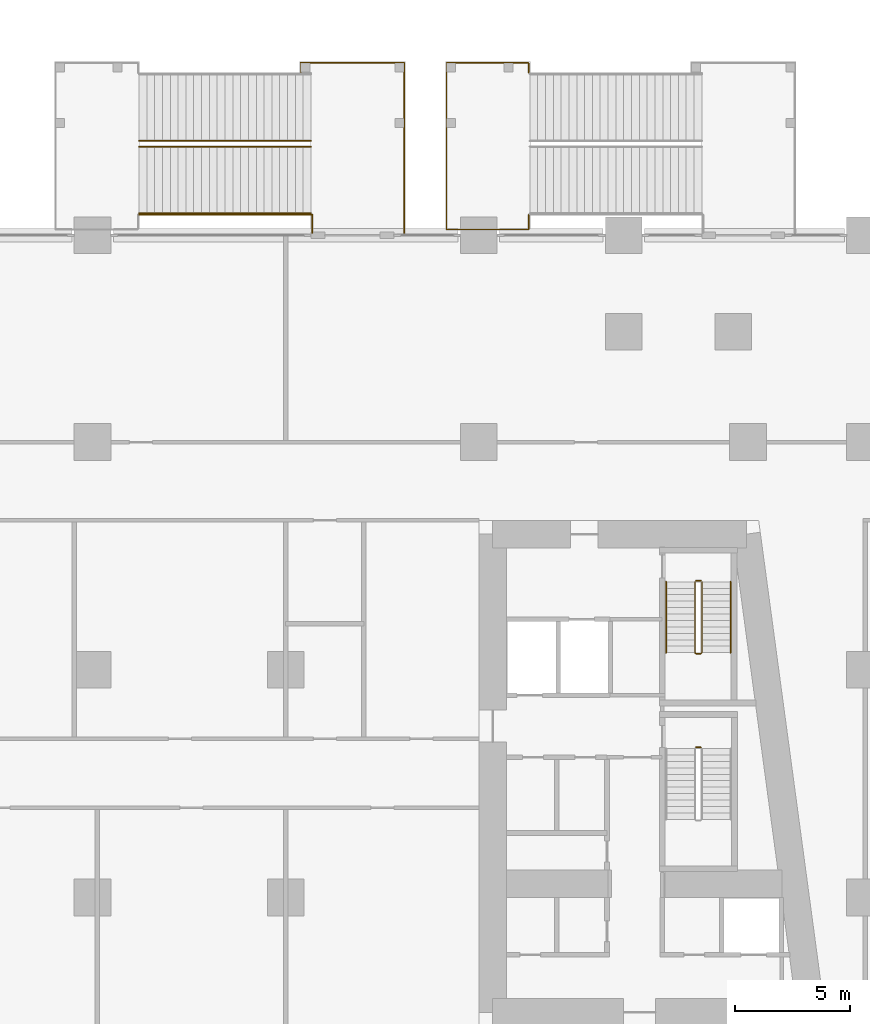
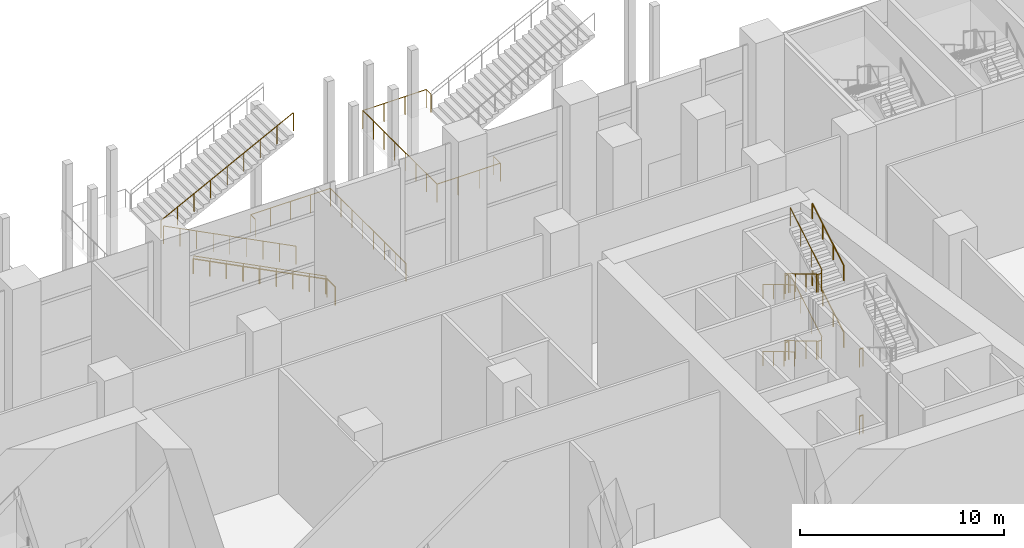
# One storey, part 47 of 52: 17 railings.
"""IFC4 building model written with IfcOpenShell, lengths in metres."""

from ifc_helpers import new_model, si_unit, direction, frame, origin, origin_2d, place, context, subcontext, project, spatial, circle, extrude, material, type_object, element, save


model = new_model("IFC4")

# Units and contexts
model_context = context("Model", 3, precision=1e-05, world=origin(), true_north=direction((0.0, 1.0)))
body_context = subcontext(model_context, "Body", "Model", "MODEL_VIEW")
ifc_project = project(units=[si_unit("LENGTHUNIT", "METRE"), si_unit("AREAUNIT", "SQUARE_METRE"), si_unit("VOLUMEUNIT", "CUBIC_METRE"), si_unit("PLANEANGLEUNIT", "RADIAN"), si_unit("MASSUNIT", "GRAM", prefix="KILO")], contexts=[model_context])

# Site, building, storey
site_placement = place(None, origin())
site = spatial("IfcSite", under=ifc_project, at=site_placement, CompositionType="ELEMENT")
building_placement = place(site_placement, origin())
building = spatial("IfcBuilding", under=site, at=building_placement, Name="Candeia Pilgrim Tower and Theatre", CompositionType="ELEMENT")
storey_placement = place(building_placement, frame((0.0, 0.0, 9.0)))
storey = spatial("IfcBuildingStorey", under=building, at=storey_placement, Name="L01", CompositionType="ELEMENT", Elevation=9.0)

# Railings
ifc_material_1 = material(Name="Stainless steel balustrade", Category="steel")
railing_type_1 = type_object("IfcRailingType", Name="RL-GUARD-1100", PredefinedType="GUARDRAIL", material=ifc_material_1)
for number, where, name in (
    (1, (135.447998046875, 122.52490234375, 4.0), "L01 ST3 stair guard 2"),
    (2, (135.447998046875, 122.52490234375, 0.0), "L01 ST3 stair guard 4"),
):
    element("IfcRailing", number, at=place(storey_placement, frame(where)), inside=storey, type_object=railing_type_1, Name=name, PredefinedType="GUARDRAIL", context=body_context, shape_type="SweptSolid", body=[
        extrude(circle(Radius=0.02392578125, at=origin_2d()), frame((0.0, 0.0, 1.076171875), z_axis=(1.0, 0.0, 0.0), x_axis=(0.0, 1.0, 0.0)), (0.0, 0.0, 1.0), 0.199951171875),
        extrude(circle(Radius=0.02099609375, at=origin_2d()), origin(), (0.0, 0.0, 1.0), 1.052001953125),
        extrude(circle(Radius=0.02099609375, at=origin_2d()), frame((0.199951171875, 0.0, 0.0)), (0.0, 0.0, 1.0), 1.052001953125),
    ])
railing_1_placement = place(storey_placement, frame((135.39794921875, 129.72509765625, 0.166748046875)))
element("IfcRailing", 3, at=railing_1_placement, inside=storey, type_object=railing_type_1, Name="L01 ST4 stair guard 1", PredefinedType="GUARDRAIL", context=body_context, shape_type="SweptSolid", body=[
    extrude(circle(Radius=0.02392578125, at=origin_2d()), frame((0.0, 0.0, 1.076171875), z_axis=(0.0, -0.859308565015, 0.511457515432), x_axis=(1.0, 0.0, 0.0)), (0.0, 0.0, 1.0), 3.58447265625),
    extrude(circle(Radius=0.02392578125, at=origin_2d()), frame((0.0, -3.080078125, 2.9091796875), z_axis=(0.707106781187, -0.707106781187, 0.0), x_axis=(0.707106781187, 0.707106781187, 0.0)), (0.0, 0.0, 1.0), 0.07080078125),
    extrude(circle(Radius=0.02392578125, at=origin_2d()), frame((0.050048828125, -3.130126953125, 2.9091796875), z_axis=(1.0, 0.0, 0.0), x_axis=(0.0, 1.0, 0.0)), (0.0, 0.0, 1.0), 0.199951171875),
    extrude(circle(Radius=0.02392578125, at=origin_2d()), frame((0.25, -3.130126953125, 2.9091796875), z_axis=(0.27628659633, 0.27628659633, 0.920506074601), x_axis=(-0.707106781187, 0.707106781187, 0.0)), (0.0, 0.0, 1.0), 0.18115234375),
    extrude(circle(Radius=0.02392578125, at=origin_2d()), frame((0.300048828125, -3.080078125, 3.076171875), z_axis=(0.0, 0.859308565015, 0.511457515432), x_axis=(-1.0, 0.0, 0.0)), (0.0, 0.0, 1.0), 3.58447265625),
    extrude(circle(Radius=0.02099609375, at=origin_2d()), origin(), (0.0, 0.0, 1.0), 1.052001953125),
    extrude(circle(Radius=0.02099609375, at=origin_2d()), frame((0.0, -1.026611328125, 0.611083984375)), (0.0, 0.0, 1.0), 1.052001953125),
    extrude(circle(Radius=0.02099609375, at=origin_2d()), frame((0.0, -2.053466796875, 1.22216796875)), (0.0, 0.0, 1.0), 1.052001953125),
    extrude(circle(Radius=0.02099609375, at=origin_2d()), frame((0.0, -3.080078125, 1.833251953125)), (0.0, 0.0, 1.0), 1.052001953125),
    extrude(circle(Radius=0.02099609375, at=origin_2d()), frame((0.050048828125, -3.130126953125, 1.833251953125)), (0.0, 0.0, 1.0), 1.052001953125),
    extrude(circle(Radius=0.02099609375, at=origin_2d()), frame((0.25, -3.130126953125, 1.833251953125)), (0.0, 0.0, 1.0), 1.052001953125),
    extrude(circle(Radius=0.02099609375, at=origin_2d()), frame((0.300048828125, -3.080078125, 2.0)), (0.0, 0.0, 1.0), 1.052001953125),
    extrude(circle(Radius=0.02099609375, at=origin_2d()), frame((0.300048828125, -2.053466796875, 2.611083984375)), (0.0, 0.0, 1.0), 1.052001953125),
    extrude(circle(Radius=0.02099609375, at=origin_2d()), frame((0.300048828125, -1.026611328125, 3.22216796875)), (0.0, 0.0, 1.0), 1.052001953125),
    extrude(circle(Radius=0.02099609375, at=origin_2d()), frame((0.300048828125, 0.0, 3.833251953125)), (0.0, 0.0, 1.0), 1.052001953125),
])
railing_2_placement = place(storey_placement, frame((135.447998046875, 129.77490234375, 4.0)))
element("IfcRailing", 4, at=railing_2_placement, inside=storey, type_object=railing_type_1, Name="L01 ST4 stair guard 2", PredefinedType="GUARDRAIL", context=body_context, shape_type="SweptSolid", body=[
    extrude(circle(Radius=0.02392578125, at=origin_2d()), frame((0.0, 0.0, 1.076171875), z_axis=(1.0, 0.0, 0.0), x_axis=(0.0, 1.0, 0.0)), (0.0, 0.0, 1.0), 0.199951171875),
    extrude(circle(Radius=0.02099609375, at=origin_2d()), origin(), (0.0, 0.0, 1.0), 1.052001953125),
    extrude(circle(Radius=0.02099609375, at=origin_2d()), frame((0.199951171875, 0.0, 0.0)), (0.0, 0.0, 1.0), 1.052001953125),
])
railing_3_placement = place(storey_placement, frame((135.39794921875, 129.72509765625, 4.166748046875)))
element("IfcRailing", 5, at=railing_3_placement, inside=storey, type_object=railing_type_1, Name="L01 ST4 stair guard 3", PredefinedType="GUARDRAIL", context=body_context, shape_type="SweptSolid", body=[
    extrude(circle(Radius=0.02392578125, at=origin_2d()), frame((0.0, 0.0, 1.076171875), z_axis=(0.0, -0.859308565015, 0.511457515432), x_axis=(1.0, 0.0, 0.0)), (0.0, 0.0, 1.0), 3.58447265625),
    extrude(circle(Radius=0.02392578125, at=origin_2d()), frame((0.0, -3.080078125, 2.9091796875), z_axis=(0.707106781187, -0.707106781187, 0.0), x_axis=(0.707106781187, 0.707106781187, 0.0)), (0.0, 0.0, 1.0), 0.07080078125),
    extrude(circle(Radius=0.02392578125, at=origin_2d()), frame((0.050048828125, -3.130126953125, 2.9091796875), z_axis=(1.0, 0.0, 0.0), x_axis=(0.0, 1.0, 0.0)), (0.0, 0.0, 1.0), 0.199951171875),
    extrude(circle(Radius=0.02392578125, at=origin_2d()), frame((0.25, -3.130126953125, 2.9091796875), z_axis=(0.27628659633, 0.27628659633, 0.920506074601), x_axis=(-0.707106781187, 0.707106781187, 0.0)), (0.0, 0.0, 1.0), 0.18115234375),
    extrude(circle(Radius=0.02392578125, at=origin_2d()), frame((0.300048828125, -3.080078125, 3.076171875), z_axis=(0.0, 0.859308565015, 0.511457515432), x_axis=(-1.0, 0.0, 0.0)), (0.0, 0.0, 1.0), 3.58447265625),
    extrude(circle(Radius=0.02099609375, at=origin_2d()), origin(), (0.0, 0.0, 1.0), 1.052001953125),
    extrude(circle(Radius=0.02099609375, at=origin_2d()), frame((0.0, -1.026611328125, 0.611083984375)), (0.0, 0.0, 1.0), 1.052001953125),
    extrude(circle(Radius=0.02099609375, at=origin_2d()), frame((0.0, -2.053466796875, 1.22216796875)), (0.0, 0.0, 1.0), 1.052001953125),
    extrude(circle(Radius=0.02099609375, at=origin_2d()), frame((0.0, -3.080078125, 1.833251953125)), (0.0, 0.0, 1.0), 1.052001953125),
    extrude(circle(Radius=0.02099609375, at=origin_2d()), frame((0.050048828125, -3.130126953125, 1.833251953125)), (0.0, 0.0, 1.0), 1.052001953125),
    extrude(circle(Radius=0.02099609375, at=origin_2d()), frame((0.25, -3.130126953125, 1.833251953125)), (0.0, 0.0, 1.0), 1.052001953125),
    extrude(circle(Radius=0.02099609375, at=origin_2d()), frame((0.300048828125, -3.080078125, 2.0)), (0.0, 0.0, 1.0), 1.052001953125),
    extrude(circle(Radius=0.02099609375, at=origin_2d()), frame((0.300048828125, -2.053466796875, 2.611083984375)), (0.0, 0.0, 1.0), 1.052001953125),
    extrude(circle(Radius=0.02099609375, at=origin_2d()), frame((0.300048828125, -1.026611328125, 3.22216796875)), (0.0, 0.0, 1.0), 1.052001953125),
    extrude(circle(Radius=0.02099609375, at=origin_2d()), frame((0.300048828125, 0.0, 3.833251953125)), (0.0, 0.0, 1.0), 1.052001953125),
])
railing_4_placement = place(storey_placement, frame((135.447998046875, 129.77490234375, 0.0)))
element("IfcRailing", 6, at=railing_4_placement, inside=storey, type_object=railing_type_1, Name="L01 ST4 stair guard 4", PredefinedType="GUARDRAIL", context=body_context, shape_type="SweptSolid", body=[
    extrude(circle(Radius=0.02392578125, at=origin_2d()), frame((0.0, 0.0, 1.076171875), z_axis=(1.0, 0.0, 0.0), x_axis=(0.0, 1.0, 0.0)), (0.0, 0.0, 1.0), 0.199951171875),
    extrude(circle(Radius=0.02099609375, at=origin_2d()), origin(), (0.0, 0.0, 1.0), 1.052001953125),
    extrude(circle(Radius=0.02099609375, at=origin_2d()), frame((0.199951171875, 0.0, 0.0)), (0.0, 0.0, 1.0), 1.052001953125),
])
railing_5_placement = place(storey_placement, frame((118.699951171875, 148.64990234375, 0.173828125)))
element("IfcRailing", 7, at=railing_5_placement, inside=storey, type_object=railing_type_1, Name="L01 ES6 stair guard 1", PredefinedType="GUARDRAIL", context=body_context, shape_type="SweptSolid", body=[
    extrude(circle(Radius=0.02392578125, at=origin_2d()), frame((0.0, 0.0, 1.076171875), z_axis=(-0.890286522184, 0.0, 0.455400821714), x_axis=(0.0, -1.0, 0.0)), (0.0, 0.0, 1.0), 8.40185546875),
    extrude(circle(Radius=0.02099609375, at=origin_2d()), origin(), (0.0, 0.0, 1.0), 1.052001953125),
    extrude(circle(Radius=0.02099609375, at=origin_2d()), frame((-0.93505859375, 0.0, 0.478271484375)), (0.0, 0.0, 1.0), 1.052001953125),
    extrude(circle(Radius=0.02099609375, at=origin_2d()), frame((-1.8701171875, 0.0, 0.95654296875)), (0.0, 0.0, 1.0), 1.052001953125),
    extrude(circle(Radius=0.02099609375, at=origin_2d()), frame((-2.804931640625, 0.0, 1.434814453125)), (0.0, 0.0, 1.0), 1.052001953125),
    extrude(circle(Radius=0.02099609375, at=origin_2d()), frame((-3.739990234375, 0.0, 1.9130859375)), (0.0, 0.0, 1.0), 1.052001953125),
    extrude(circle(Radius=0.02099609375, at=origin_2d()), frame((-4.675048828125, 0.0, 2.391357421875)), (0.0, 0.0, 1.0), 1.052001953125),
    extrude(circle(Radius=0.02099609375, at=origin_2d()), frame((-5.60986328125, 0.0, 2.86962890625)), (0.0, 0.0, 1.0), 1.052001953125),
    extrude(circle(Radius=0.02099609375, at=origin_2d()), frame((-6.544921875, 0.0, 3.347900390625)), (0.0, 0.0, 1.0), 1.052001953125),
    extrude(circle(Radius=0.02099609375, at=origin_2d()), frame((-7.47998046875, 0.0, 3.826171875)), (0.0, 0.0, 1.0), 1.052001953125),
])
railing_6_placement = place(storey_placement, frame((111.219970703125, 148.89990234375, 4.173828125)))
element("IfcRailing", 8, at=railing_6_placement, inside=storey, type_object=railing_type_1, Name="L01 ES6 stair guard 2", PredefinedType="GUARDRAIL", context=body_context, shape_type="SweptSolid", body=[
    extrude(circle(Radius=0.02392578125, at=origin_2d()), frame((0.0, 0.0, 1.076171875), z_axis=(0.890286522184, 0.0, 0.455400821714), x_axis=(0.0, 1.0, 0.0)), (0.0, 0.0, 1.0), 8.40185546875),
    extrude(circle(Radius=0.02099609375, at=origin_2d()), origin(), (0.0, 0.0, 1.0), 1.052001953125),
    extrude(circle(Radius=0.02099609375, at=origin_2d()), frame((0.93505859375, 0.0, 0.478271484375)), (0.0, 0.0, 1.0), 1.052001953125),
    extrude(circle(Radius=0.02099609375, at=origin_2d()), frame((1.8701171875, 0.0, 0.95654296875)), (0.0, 0.0, 1.0), 1.052001953125),
    extrude(circle(Radius=0.02099609375, at=origin_2d()), frame((2.804931640625, 0.0, 1.434814453125)), (0.0, 0.0, 1.0), 1.052001953125),
    extrude(circle(Radius=0.02099609375, at=origin_2d()), frame((3.739990234375, 0.0, 1.9130859375)), (0.0, 0.0, 1.0), 1.052001953125),
    extrude(circle(Radius=0.02099609375, at=origin_2d()), frame((4.675048828125, 0.0, 2.391357421875)), (0.0, 0.0, 1.0), 1.052001953125),
    extrude(circle(Radius=0.02099609375, at=origin_2d()), frame((5.60986328125, 0.0, 2.86962890625)), (0.0, 0.0, 1.0), 1.052001953125),
    extrude(circle(Radius=0.02099609375, at=origin_2d()), frame((6.544921875, 0.0, 3.347900390625)), (0.0, 0.0, 1.0), 1.052001953125),
    extrude(circle(Radius=0.02099609375, at=origin_2d()), frame((7.47998046875, 0.0, 3.826171875)), (0.0, 0.0, 1.0), 1.052001953125),
])
railing_7_placement = place(storey_placement, frame((118.699951171875, 145.699951171875, 0.173828125)))
element("IfcRailing", 9, at=railing_7_placement, inside=storey, type_object=railing_type_1, Name="L01 ES6 stair guard 3", PredefinedType="GUARDRAIL", context=body_context, shape_type="SweptSolid", body=[
    extrude(circle(Radius=0.02392578125, at=origin_2d()), frame((0.0, 0.0, 1.076171875), z_axis=(-0.890286522184, 0.0, 0.455400821714), x_axis=(0.0, -1.0, 0.0)), (0.0, 0.0, 1.0), 8.40185546875),
    extrude(circle(Radius=0.02099609375, at=origin_2d()), origin(), (0.0, 0.0, 1.0), 1.052001953125),
    extrude(circle(Radius=0.02099609375, at=origin_2d()), frame((-0.93505859375, 0.0, 0.478271484375)), (0.0, 0.0, 1.0), 1.052001953125),
    extrude(circle(Radius=0.02099609375, at=origin_2d()), frame((-1.8701171875, 0.0, 0.95654296875)), (0.0, 0.0, 1.0), 1.052001953125),
    extrude(circle(Radius=0.02099609375, at=origin_2d()), frame((-2.804931640625, 0.0, 1.434814453125)), (0.0, 0.0, 1.0), 1.052001953125),
    extrude(circle(Radius=0.02099609375, at=origin_2d()), frame((-3.739990234375, 0.0, 1.9130859375)), (0.0, 0.0, 1.0), 1.052001953125),
    extrude(circle(Radius=0.02099609375, at=origin_2d()), frame((-4.675048828125, 0.0, 2.391357421875)), (0.0, 0.0, 1.0), 1.052001953125),
    extrude(circle(Radius=0.02099609375, at=origin_2d()), frame((-5.60986328125, 0.0, 2.86962890625)), (0.0, 0.0, 1.0), 1.052001953125),
    extrude(circle(Radius=0.02099609375, at=origin_2d()), frame((-6.544921875, 0.0, 3.347900390625)), (0.0, 0.0, 1.0), 1.052001953125),
    extrude(circle(Radius=0.02099609375, at=origin_2d()), frame((-7.47998046875, 0.0, 3.826171875)), (0.0, 0.0, 1.0), 1.052001953125),
])
railing_8_placement = place(storey_placement, frame((122.75, 144.89990234375, 0.0)))
element("IfcRailing", 10, at=railing_8_placement, inside=storey, type_object=railing_type_1, Name="L01 External escape stair ES6 landing guard", PredefinedType="GUARDRAIL", context=body_context, shape_type="SweptSolid", body=[
    extrude(circle(Radius=0.02392578125, at=origin_2d()), frame((0.0, 0.0, 1.076171875), z_axis=(0.0, 1.0, 0.0), x_axis=(-1.0, 0.0, 0.0)), (0.0, 0.0, 1.0), 7.400146484375),
    extrude(circle(Radius=0.02392578125, at=origin_2d()), frame((0.0, 7.400146484375, 1.076171875), z_axis=(-1.0, 0.0, 0.0), x_axis=(0.0, -1.0, 0.0)), (0.0, 0.0, 1.0), 4.5),
    extrude(circle(Radius=0.02392578125, at=origin_2d()), frame((-4.5, 7.400146484375, 1.076171875), z_axis=(0.0, -1.0, 0.0), x_axis=(1.0, 0.0, 0.0)), (0.0, 0.0, 1.0), 0.449951171875),
    extrude(circle(Radius=0.02099609375, at=origin_2d()), origin(), (0.0, 0.0, 1.0), 1.052001953125),
    extrude(circle(Radius=0.02099609375, at=origin_2d()), frame((0.0, 1.05712890625, 0.0)), (0.0, 0.0, 1.0), 1.052001953125),
    extrude(circle(Radius=0.02099609375, at=origin_2d()), frame((0.0, 2.1142578125, 0.0)), (0.0, 0.0, 1.0), 1.052001953125),
    extrude(circle(Radius=0.02099609375, at=origin_2d()), frame((0.0, 3.17138671875, 0.0)), (0.0, 0.0, 1.0), 1.052001953125),
    extrude(circle(Radius=0.02099609375, at=origin_2d()), frame((0.0, 4.228759765625, 0.0)), (0.0, 0.0, 1.0), 1.052001953125),
    extrude(circle(Radius=0.02099609375, at=origin_2d()), frame((0.0, 5.285888671875, 0.0)), (0.0, 0.0, 1.0), 1.052001953125),
    extrude(circle(Radius=0.02099609375, at=origin_2d()), frame((0.0, 6.343017578125, 0.0)), (0.0, 0.0, 1.0), 1.052001953125),
    extrude(circle(Radius=0.02099609375, at=origin_2d()), frame((0.0, 7.400146484375, 0.0)), (0.0, 0.0, 1.0), 1.052001953125),
    extrude(circle(Radius=0.02099609375, at=origin_2d()), frame((-1.125, 7.400146484375, 0.0)), (0.0, 0.0, 1.0), 1.052001953125),
    extrude(circle(Radius=0.02099609375, at=origin_2d()), frame((-2.25, 7.400146484375, 0.0)), (0.0, 0.0, 1.0), 1.052001953125),
    extrude(circle(Radius=0.02099609375, at=origin_2d()), frame((-3.375, 7.400146484375, 0.0)), (0.0, 0.0, 1.0), 1.052001953125),
    extrude(circle(Radius=0.02099609375, at=origin_2d()), frame((-4.5, 7.400146484375, 0.0)), (0.0, 0.0, 1.0), 1.052001953125),
    extrude(circle(Radius=0.02099609375, at=origin_2d()), frame((-4.5, 6.9501953125, 0.0)), (0.0, 0.0, 1.0), 1.052001953125),
])
railing_9_placement = place(storey_placement, frame((118.75, 144.89990234375, 0.0)))
element("IfcRailing", 11, at=railing_9_placement, inside=storey, type_object=railing_type_1, Name="L01 External escape stair ES6 bridge guard", PredefinedType="GUARDRAIL", context=body_context, shape_type="SweptSolid", body=[
    extrude(circle(Radius=0.02392578125, at=origin_2d()), frame((0.0, 0.0, 1.076171875), z_axis=(0.0, 1.0, 0.0), x_axis=(-1.0, 0.0, 0.0)), (0.0, 0.0, 1.0), 0.800048828125),
    extrude(circle(Radius=0.02099609375, at=origin_2d()), origin(), (0.0, 0.0, 1.0), 1.052001953125),
    extrude(circle(Radius=0.02099609375, at=origin_2d()), frame((0.0, 0.800048828125, 0.0)), (0.0, 0.0, 1.0), 1.052001953125),
])
railing_10_placement = place(storey_placement, frame((128.169921875, 145.699951171875, 4.0)))
element("IfcRailing", 12, at=railing_10_placement, inside=storey, type_object=railing_type_1, Name="L01 ES7 stair guard 5", PredefinedType="GUARDRAIL", context=body_context, shape_type="SweptSolid", body=[
    extrude(circle(Radius=0.02392578125, at=origin_2d()), frame((0.0, 0.0, 1.076171875), z_axis=(0.0, -1.0, 0.0), x_axis=(1.0, 0.0, 0.0)), (0.0, 0.0, 1.0), 0.64990234375),
    extrude(circle(Radius=0.02392578125, at=origin_2d()), frame((0.0, -0.64990234375, 1.076171875), z_axis=(-1.0, 0.0, 0.0), x_axis=(0.0, -1.0, 0.0)), (0.0, 0.0, 1.0), 3.579833984375),
    extrude(circle(Radius=0.02392578125, at=origin_2d()), frame((-3.579833984375, -0.64990234375, 1.076171875), z_axis=(0.0, 1.0, 0.0), x_axis=(-1.0, 0.0, 0.0)), (0.0, 0.0, 1.0), 7.25),
    extrude(circle(Radius=0.02392578125, at=origin_2d()), frame((-3.579833984375, 6.60009765625, 1.076171875), z_axis=(1.0, 0.0, 0.0), x_axis=(0.0, 1.0, 0.0)), (0.0, 0.0, 1.0), 3.579833984375),
    extrude(circle(Radius=0.02392578125, at=origin_2d()), frame((0.0, 6.60009765625, 1.076171875), z_axis=(0.0, -1.0, 0.0), x_axis=(1.0, 0.0, 0.0)), (0.0, 0.0, 1.0), 0.449951171875),
    extrude(circle(Radius=0.02099609375, at=origin_2d()), origin(), (0.0, 0.0, 1.0), 1.052001953125),
    extrude(circle(Radius=0.02099609375, at=origin_2d()), frame((0.0, -0.64990234375, 0.0)), (0.0, 0.0, 1.0), 1.052001953125),
    extrude(circle(Radius=0.02099609375, at=origin_2d()), frame((-1.193359375, -0.64990234375, 0.0)), (0.0, 0.0, 1.0), 1.052001953125),
    extrude(circle(Radius=0.02099609375, at=origin_2d()), frame((-2.386474609375, -0.64990234375, 0.0)), (0.0, 0.0, 1.0), 1.052001953125),
    extrude(circle(Radius=0.02099609375, at=origin_2d()), frame((-3.579833984375, -0.64990234375, 0.0)), (0.0, 0.0, 1.0), 1.052001953125),
    extrude(circle(Radius=0.02099609375, at=origin_2d()), frame((-3.579833984375, 0.3857421875, 0.0)), (0.0, 0.0, 1.0), 1.052001953125),
    extrude(circle(Radius=0.02099609375, at=origin_2d()), frame((-3.579833984375, 1.421630859375, 0.0)), (0.0, 0.0, 1.0), 1.052001953125),
    extrude(circle(Radius=0.02099609375, at=origin_2d()), frame((-3.579833984375, 2.457275390625, 0.0)), (0.0, 0.0, 1.0), 1.052001953125),
    extrude(circle(Radius=0.02099609375, at=origin_2d()), frame((-3.579833984375, 3.492919921875, 0.0)), (0.0, 0.0, 1.0), 1.052001953125),
    extrude(circle(Radius=0.02099609375, at=origin_2d()), frame((-3.579833984375, 4.528564453125, 0.0)), (0.0, 0.0, 1.0), 1.052001953125),
    extrude(circle(Radius=0.02099609375, at=origin_2d()), frame((-3.579833984375, 5.564453125, 0.0)), (0.0, 0.0, 1.0), 1.052001953125),
    extrude(circle(Radius=0.02099609375, at=origin_2d()), frame((-3.579833984375, 6.60009765625, 0.0)), (0.0, 0.0, 1.0), 1.052001953125),
    extrude(circle(Radius=0.02099609375, at=origin_2d()), frame((-2.386474609375, 6.60009765625, 0.0)), (0.0, 0.0, 1.0), 1.052001953125),
    extrude(circle(Radius=0.02099609375, at=origin_2d()), frame((-1.193359375, 6.60009765625, 0.0)), (0.0, 0.0, 1.0), 1.052001953125),
    extrude(circle(Radius=0.02099609375, at=origin_2d()), frame((0.0, 6.60009765625, 0.0)), (0.0, 0.0, 1.0), 1.052001953125),
    extrude(circle(Radius=0.02099609375, at=origin_2d()), frame((0.0, 6.150146484375, 0.0)), (0.0, 0.0, 1.0), 1.052001953125),
])
ifc_material_2 = material(Name="Stainless steel handrail", Category="steel")
railing_type_2 = type_object("IfcRailingType", Name="RL-HANDRAIL-900", PredefinedType="HANDRAIL", material=ifc_material_2)
railing_11_placement = place(storey_placement, frame((134.14794921875, 129.72509765625, 0.166748046875)))
element("IfcRailing", 13, at=railing_11_placement, inside=storey, type_object=railing_type_2, Name="L01 ST4 stair handrail 1", PredefinedType="HANDRAIL", context=body_context, shape_type="SweptSolid", body=[
    extrude(circle(Radius=0.02392578125, at=origin_2d()), frame((0.0, 0.0, 0.8759765625), z_axis=(0.0, -0.859308565015, 0.511457515432), x_axis=(1.0, 0.0, 0.0)), (0.0, 0.0, 1.0), 3.58447265625),
    extrude(circle(Radius=0.02099609375, at=origin_2d()), origin(), (0.0, 0.0, 1.0), 0.851806640625),
    extrude(circle(Radius=0.02099609375, at=origin_2d()), frame((0.0, -1.026611328125, 0.611083984375)), (0.0, 0.0, 1.0), 0.851806640625),
    extrude(circle(Radius=0.02099609375, at=origin_2d()), frame((0.0, -2.053466796875, 1.22216796875)), (0.0, 0.0, 1.0), 0.851806640625),
    extrude(circle(Radius=0.02099609375, at=origin_2d()), frame((0.0, -3.080078125, 1.833251953125)), (0.0, 0.0, 1.0), 0.851806640625),
])
railing_12_placement = place(storey_placement, frame((136.947998046875, 126.64501953125, 2.166748046875)))
element("IfcRailing", 14, at=railing_12_placement, inside=storey, type_object=railing_type_2, Name="L01 ST4 stair handrail 2", PredefinedType="HANDRAIL", context=body_context, shape_type="SweptSolid", body=[
    extrude(circle(Radius=0.02392578125, at=origin_2d()), frame((0.0, 0.0, 0.8759765625), z_axis=(0.0, 0.859308565015, 0.511457515432), x_axis=(-1.0, 0.0, 0.0)), (0.0, 0.0, 1.0), 3.58447265625),
    extrude(circle(Radius=0.02099609375, at=origin_2d()), origin(), (0.0, 0.0, 1.0), 0.851806640625),
    extrude(circle(Radius=0.02099609375, at=origin_2d()), frame((0.0, 1.026611328125, 0.611083984375)), (0.0, 0.0, 1.0), 0.851806640625),
    extrude(circle(Radius=0.02099609375, at=origin_2d()), frame((0.0, 2.053466796875, 1.22216796875)), (0.0, 0.0, 1.0), 0.851806640625),
    extrude(circle(Radius=0.02099609375, at=origin_2d()), frame((0.0, 3.080078125, 1.833251953125)), (0.0, 0.0, 1.0), 0.851806640625),
])
railing_13_placement = place(storey_placement, frame((134.14794921875, 129.72509765625, 4.166748046875)))
element("IfcRailing", 15, at=railing_13_placement, inside=storey, type_object=railing_type_2, Name="L01 ST4 stair handrail 3", PredefinedType="HANDRAIL", context=body_context, shape_type="SweptSolid", body=[
    extrude(circle(Radius=0.02392578125, at=origin_2d()), frame((0.0, 0.0, 0.8759765625), z_axis=(0.0, -0.859308565015, 0.511457515432), x_axis=(1.0, 0.0, 0.0)), (0.0, 0.0, 1.0), 3.58447265625),
    extrude(circle(Radius=0.02099609375, at=origin_2d()), origin(), (0.0, 0.0, 1.0), 0.851806640625),
    extrude(circle(Radius=0.02099609375, at=origin_2d()), frame((0.0, -1.026611328125, 0.611083984375)), (0.0, 0.0, 1.0), 0.851806640625),
    extrude(circle(Radius=0.02099609375, at=origin_2d()), frame((0.0, -2.053466796875, 1.22216796875)), (0.0, 0.0, 1.0), 0.851806640625),
    extrude(circle(Radius=0.02099609375, at=origin_2d()), frame((0.0, -3.080078125, 1.833251953125)), (0.0, 0.0, 1.0), 0.851806640625),
])
railing_14_placement = place(storey_placement, frame((136.947998046875, 126.64501953125, 6.166748046875)))
element("IfcRailing", 16, at=railing_14_placement, inside=storey, type_object=railing_type_2, Name="L01 ST4 stair handrail 4", PredefinedType="HANDRAIL", context=body_context, shape_type="SweptSolid", body=[
    extrude(circle(Radius=0.02392578125, at=origin_2d()), frame((0.0, 0.0, 0.8759765625), z_axis=(0.0, 0.859308565015, 0.511457515432), x_axis=(-1.0, 0.0, 0.0)), (0.0, 0.0, 1.0), 3.58447265625),
    extrude(circle(Radius=0.02099609375, at=origin_2d()), origin(), (0.0, 0.0, 1.0), 0.851806640625),
    extrude(circle(Radius=0.02099609375, at=origin_2d()), frame((0.0, 1.026611328125, 0.611083984375)), (0.0, 0.0, 1.0), 0.851806640625),
    extrude(circle(Radius=0.02099609375, at=origin_2d()), frame((0.0, 2.053466796875, 1.22216796875)), (0.0, 0.0, 1.0), 0.851806640625),
    extrude(circle(Radius=0.02099609375, at=origin_2d()), frame((0.0, 3.080078125, 1.833251953125)), (0.0, 0.0, 1.0), 0.851806640625),
])
railing_15_placement = place(storey_placement, frame((118.699951171875, 145.75, 0.173828125)))
element("IfcRailing", 17, at=railing_15_placement, inside=storey, type_object=railing_type_2, Name="L01 ES6 stair handrail 1", PredefinedType="HANDRAIL", context=body_context, shape_type="SweptSolid", body=[
    extrude(circle(Radius=0.02392578125, at=origin_2d()), frame((0.0, 0.0, 0.8759765625), z_axis=(-0.890286522184, 0.0, 0.455400821714), x_axis=(0.0, -1.0, 0.0)), (0.0, 0.0, 1.0), 8.40185546875),
    extrude(circle(Radius=0.02099609375, at=origin_2d()), origin(), (0.0, 0.0, 1.0), 0.851806640625),
    extrude(circle(Radius=0.02099609375, at=origin_2d()), frame((-0.93505859375, 0.0, 0.478271484375)), (0.0, 0.0, 1.0), 0.851806640625),
    extrude(circle(Radius=0.02099609375, at=origin_2d()), frame((-1.8701171875, 0.0, 0.95654296875)), (0.0, 0.0, 1.0), 0.851806640625),
    extrude(circle(Radius=0.02099609375, at=origin_2d()), frame((-2.804931640625, 0.0, 1.434814453125)), (0.0, 0.0, 1.0), 0.851806640625),
    extrude(circle(Radius=0.02099609375, at=origin_2d()), frame((-3.739990234375, 0.0, 1.9130859375)), (0.0, 0.0, 1.0), 0.851806640625),
    extrude(circle(Radius=0.02099609375, at=origin_2d()), frame((-4.675048828125, 0.0, 2.391357421875)), (0.0, 0.0, 1.0), 0.851806640625),
    extrude(circle(Radius=0.02099609375, at=origin_2d()), frame((-5.60986328125, 0.0, 2.86962890625)), (0.0, 0.0, 1.0), 0.851806640625),
    extrude(circle(Radius=0.02099609375, at=origin_2d()), frame((-6.544921875, 0.0, 3.347900390625)), (0.0, 0.0, 1.0), 0.851806640625),
    extrude(circle(Radius=0.02099609375, at=origin_2d()), frame((-7.47998046875, 0.0, 3.826171875)), (0.0, 0.0, 1.0), 0.851806640625),
])

save(model, "model.ifc")
